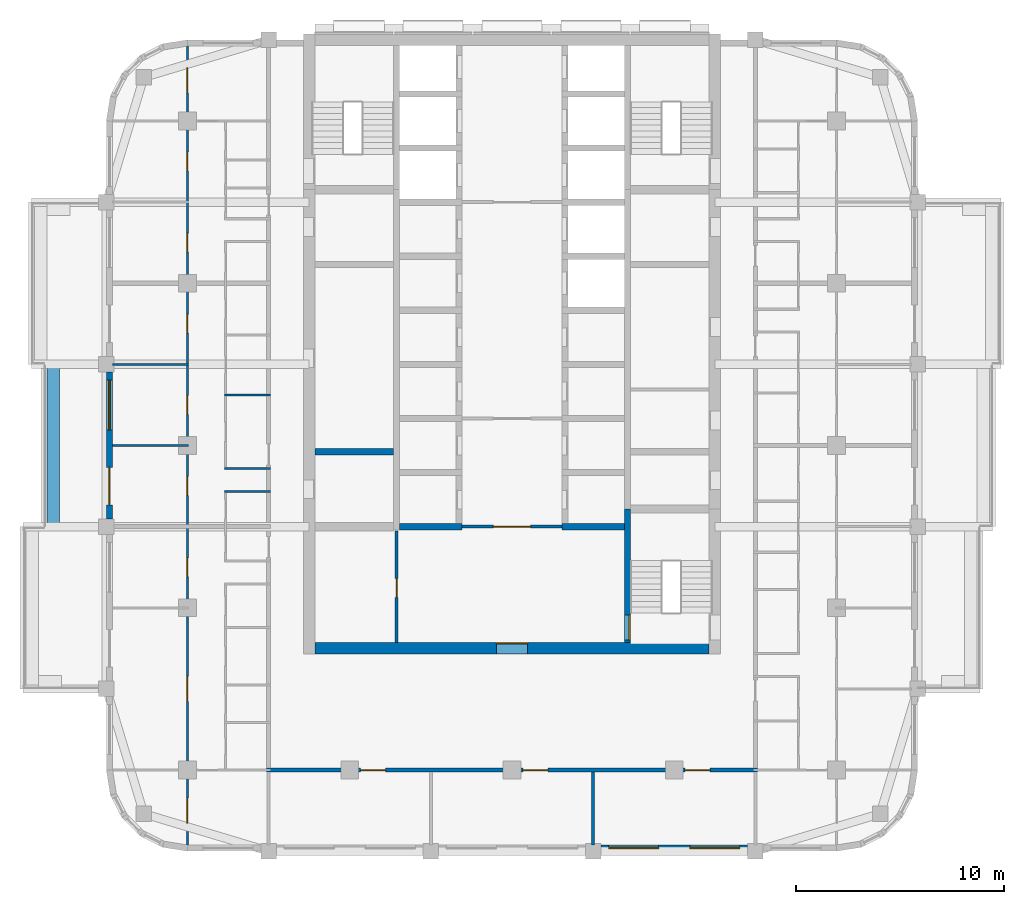
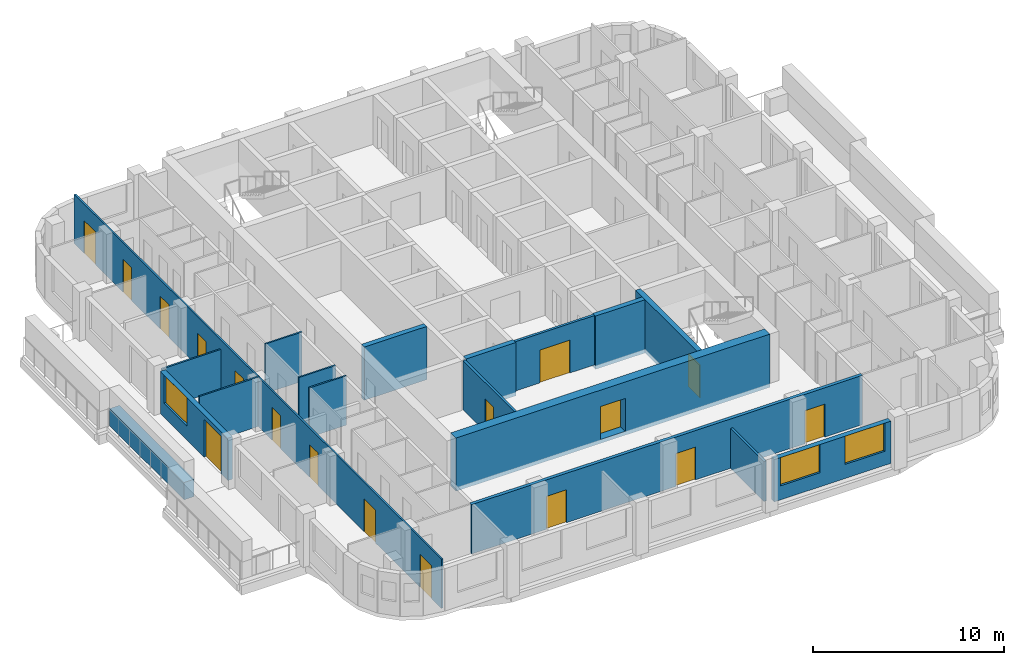
# One storey, part 3 of 13: 18 walls, 17 doors, 3 windows, 20 openings.
"""IFC4 building model written with IfcOpenShell, lengths in metres."""

import ifcopenshell
import ifcopenshell.guid

model = None  # the IFC model being written
_history = None  # IfcOwnerHistory: only IFC2X3 demands one
_inside = {}  # id of a spatial element -> (the spatial element, [elements in it])
_under = {}  # id of a project, library or spatial element -> (it, [spatial elements below it])
_declared = {}  # id of a project -> (the project, [libraries it declares])
_typed = {}  # id of a type object -> (the type object, [elements of that type])
_made_of = {}  # id of a material, layer set ... -> (it, [elements and type objects made of it])


def new_model(schema):
    """Start an empty IFC model of exactly this schema.

    Asked for "IFC4X3", IfcOpenShell would pick the latest addendum, in which some entities
    have other attributes; the version numbers below select the first issue.
    IFC2X3 requires an IfcOwnerHistory on every rooted entity: one is made here for all.
    """
    global model, _history
    if schema == "IFC4X3":
        model = ifcopenshell.file(schema_version=(4, 3, 0, 0))
    else:
        model = ifcopenshell.file(schema=schema)
    _inside.clear()
    _under.clear()
    _declared.clear()
    _typed.clear()
    _made_of.clear()
    _history = None
    if model.schema == "IFC2X3":
        org = make("IfcOrganization", Name="unknown")
        user = make(
            "IfcPersonAndOrganization",
            ThePerson=make("IfcPerson", FamilyName="unknown"),
            TheOrganization=org,
        )
        app = make(
            "IfcApplication",
            ApplicationDeveloper=org,
            Version="unknown",
            ApplicationFullName="unknown",
            ApplicationIdentifier="unknown",
        )
        _history = make(
            "IfcOwnerHistory",
            OwningUser=user,
            OwningApplication=app,
            ChangeAction="ADDED",
            CreationDate=0,
        )
    return model


def make(cls, **values):
    """One entity of the class cls with the attributes given. An attribute that is None is left unset."""
    return model.create_entity(
        cls, **{name: value for name, value in values.items() if value is not None}
    )


def rooted(cls, **values):
    """An entity with a GlobalId (a new one), such as an element, a storey or a relation."""
    return make(cls, GlobalId=ifcopenshell.guid.new(), OwnerHistory=_history, **values)


def si_unit(unit_type, name, prefix=None):
    """IfcSIUnit, for example si_unit("LENGTHUNIT", "METRE", prefix="MILLI")."""
    return make("IfcSIUnit", UnitType=unit_type, Prefix=prefix, Name=name)


def assignment(units):
    """IfcUnitAssignment: the units of a project."""
    return None if units is None else make("IfcUnitAssignment", Units=units)


def point(xyz):
    """IfcCartesianPoint."""
    return None if xyz is None else make("IfcCartesianPoint", Coordinates=xyz)


def direction(xyz):
    """IfcDirection."""
    return None if xyz is None else make("IfcDirection", DirectionRatios=xyz)


def frame(location, z_axis=None, x_axis=None):
    """IfcAxis2Placement3D, a coordinate frame: its origin and axes. An axis left out is left unset."""
    return make(
        "IfcAxis2Placement3D",
        Location=point(location),
        Axis=direction(z_axis),
        RefDirection=direction(x_axis),
    )


def frame_2d(location, x_axis=None):
    """IfcAxis2Placement2D, a coordinate frame in the plane: its origin and x axis."""
    return make(
        "IfcAxis2Placement2D", Location=point(location), RefDirection=direction(x_axis)
    )


def origin():
    """The frame at (0, 0, 0) with its axes left unset."""
    return frame((0.0, 0.0, 0.0))


def place(relative_to, where):
    """IfcLocalPlacement: puts the frame where relative to a parent placement (None: the world)."""
    return make(
        "IfcLocalPlacement", PlacementRelTo=relative_to, RelativePlacement=where
    )


def context(
    kind, dimensions, precision=None, world=None, true_north=None, identifier=None
):
    """IfcGeometricRepresentationContext, for example the 3D "Model" context."""
    return make(
        "IfcGeometricRepresentationContext",
        ContextIdentifier=identifier,
        ContextType=kind,
        CoordinateSpaceDimension=dimensions,
        Precision=precision,
        WorldCoordinateSystem=world,
        TrueNorth=true_north,
    )


def subcontext(parent, identifier, kind, view, scale=None):
    """IfcGeometricRepresentationSubContext, for example "Body" below "Model"."""
    return make(
        "IfcGeometricRepresentationSubContext",
        ContextIdentifier=identifier,
        ContextType=kind,
        ParentContext=parent,
        TargetScale=scale,
        TargetView=view,
    )


def project(units=None, contexts=None):
    """IfcProject with its units and contexts."""
    return rooted(
        "IfcProject",
        Name="project",
        RepresentationContexts=contexts,
        UnitsInContext=assignment(units),
    )


def spatial(cls, under=None, at=None, **own):
    """A site, building, storey or space (cls), placed at a placement, below another one or the project."""
    s = rooted(cls, ObjectPlacement=at, **own)
    if under is not None:
        _under.setdefault(under.id(), (under, []))[1].append(s)
    return s


def profile(cls, at=None, kind="AREA", **sizes):
    """A parametric profile (cls). Its sizes go by their IFC names, for example OverallWidth=200.0."""
    return make(cls, ProfileType=kind, Position=at, **sizes)


def rectangle(**sizes):
    """IfcRectangleProfileDef."""
    return profile("IfcRectangleProfileDef", **sizes)


def extrude(swept, where, along, depth):
    """IfcExtrudedAreaSolid: the profile swept, set in the frame where, extruded along a direction by depth."""
    return make(
        "IfcExtrudedAreaSolid",
        SweptArea=swept,
        Position=where,
        ExtrudedDirection=direction(along),
        Depth=depth,
    )


def shape(context_of_items, identifier, shape_type, items):
    """IfcShapeRepresentation: the items that make up one representation, for example the "Body"."""
    return make(
        "IfcShapeRepresentation",
        ContextOfItems=context_of_items,
        RepresentationIdentifier=identifier,
        RepresentationType=shape_type,
        Items=items,
    )


def material(Name=None, Category=None):
    """IfcMaterial."""
    return make("IfcMaterial", Name=Name, Category=Category)


def layer(
    of_material, thickness, ventilated=None, Name=None, Category=None, Priority=None
):
    """IfcMaterialLayer: one layer of a wall or slab, of a material (None: an air gap)."""
    return make(
        "IfcMaterialLayer",
        Material=of_material,
        LayerThickness=thickness,
        IsVentilated=ventilated,
        Name=Name,
        Category=Category,
        Priority=Priority,
    )


def layer_set(layers, Name=None):
    """IfcMaterialLayerSet."""
    return make("IfcMaterialLayerSet", MaterialLayers=layers, LayerSetName=Name)


def made_of(thing, what):
    """Note that an element or type object is made of a material, layer set ...; save() writes the relation."""
    if what is not None:
        _made_of.setdefault(what.id(), (what, []))[1].append(thing)
    return thing


def type_object(cls, material=None, **own):
    """A type object (cls), such as IfcWallType, which elements share."""
    return made_of(rooted(cls, **own), material)


def element(
    cls,
    number,
    at=None,
    inside=None,
    cuts=None,
    type_object=None,
    material=None,
    context=None,
    identifier="Body",
    shape_type=None,
    held_by="IfcProductDefinitionShape",
    body=None,
    shapes=None,
    **own,
):
    """One element of the class cls, such as IfcWall. Its Tag is "e" and its number.

    at: its placement. inside: the storey or other place that contains it. cuts: it is an
    opening in that element (IfcRelVoidsElement). A single representation is given by context,
    identifier, shape_type and body (its items); several are given by shapes. held_by: the class
    of the entity that holds the representations. save() writes the other relations.
    """
    e = rooted(cls, Tag="e%d" % number, ObjectPlacement=at, **own)
    if body is not None:
        shapes = [shape(context, identifier, shape_type, body)]
    if shapes is not None:
        e.Representation = make(held_by, Representations=shapes)
    if inside is not None:
        _inside.setdefault(inside.id(), (inside, []))[1].append(e)
    if cuts is not None:
        rooted(
            "IfcRelVoidsElement", RelatingBuildingElement=cuts, RelatedOpeningElement=e
        )
    if type_object is not None:
        _typed.setdefault(type_object.id(), (type_object, []))[1].append(e)
    return made_of(e, material)


def fill(opening, filler):
    """IfcRelFillsElement: the door or window that sits in an opening."""
    return rooted(
        "IfcRelFillsElement",
        RelatingOpeningElement=opening,
        RelatedBuildingElement=filler,
    )


def aggregate(whole, parts):
    """IfcRelAggregates: a whole, such as a stair, and the parts it consists of."""
    return rooted("IfcRelAggregates", RelatingObject=whole, RelatedObjects=parts)


def save(model, path):
    """Write the relations noted so far, then the file.

    IfcRelAggregates (storeys below a building ...), IfcRelContainedInSpatialStructure (elements
    in a storey), IfcRelDefinesByType, IfcRelAssociatesMaterial and IfcRelDeclares: one each for
    every whole, place, type object, material and project.
    """
    for whole, parts in _under.values():
        aggregate(whole, parts)
    for where, things in _inside.values():
        rooted(
            "IfcRelContainedInSpatialStructure",
            RelatedElements=things,
            RelatingStructure=where,
        )
    for kind, things in _typed.values():
        rooted("IfcRelDefinesByType", RelatedObjects=things, RelatingType=kind)
    for what, things in _made_of.values():
        rooted("IfcRelAssociatesMaterial", RelatedObjects=things, RelatingMaterial=what)
    for by, libraries in _declared.values():
        rooted("IfcRelDeclares", RelatingContext=by, RelatedDefinitions=libraries)
    model.write(path)


model = new_model("IFC4")

# Units and contexts
model_context = context("Model", 3, precision=1e-05, world=origin(), true_north=direction((0.0, 1.0)))
body_context = subcontext(model_context, "Body", "Model", "MODEL_VIEW")
ifc_project = project(units=[si_unit("LENGTHUNIT", "METRE"), si_unit("AREAUNIT", "SQUARE_METRE"), si_unit("VOLUMEUNIT", "CUBIC_METRE"), si_unit("PLANEANGLEUNIT", "RADIAN"), si_unit("MASSUNIT", "GRAM", prefix="KILO")], contexts=[model_context])

# Site, building, storey
site_placement = place(None, origin())
site = spatial("IfcSite", under=ifc_project, at=site_placement, CompositionType="ELEMENT")
building_placement = place(site_placement, origin())
building = spatial("IfcBuilding", under=site, at=building_placement, Name="Ludao Terraces", CompositionType="ELEMENT")
storey_placement = place(building_placement, frame((0.0, 0.0, 155.39990234375)))
storey = spatial("IfcBuildingStorey", under=building, at=storey_placement, Name="L42", CompositionType="ELEMENT", Elevation=155.39990234375)

# Wall, opening, door
ifc_material_1 = material(Name="Concrete C60", Category="concrete")
ifc_layer_1 = layer(ifc_material_1, 0.550048828125)
ifc_layer_set_1 = layer_set([ifc_layer_1], Name="Core wall 550 C60")
wall_type_1 = type_object("IfcWallType", Name="Core wall 550 C60", PredefinedType="SOLIDWALL", material=ifc_layer_set_1)
wall_1_placement = place(storey_placement, frame((75.52490234375, 55.25, -0.25), z_axis=(0.0, 0.0, 1.0), x_axis=(1.0, 0.0, 0.0)))
wall_1 = element("IfcWall", 1, at=wall_1_placement, inside=storey, type_object=wall_type_1, Name="Core wall L42 outer-S", PredefinedType="SOLIDWALL", context=body_context, shape_type="SweptSolid", body=[
    extrude(rectangle(XDim=18.9501953125, YDim=0.550048828125, at=frame_2d((9.47509765625, 0.0))), origin(), (0.0, 0.0, 1.0), 3.400146484375),
])
opening_1_placement = place(wall_1_placement, frame((8.72509765625, 0.0, 0.25)))
opening_1 = element("IfcOpeningElement", 2, at=opening_1_placement, cuts=wall_1, Name="Opening R14-016", PredefinedType="OPENING", context=body_context, shape_type="SweptSolid", body=[
    extrude(rectangle(XDim=1.5, YDim=2.10009765625, at=frame_2d((0.75, 1.050048828125))), frame((0.0, 0.28515625, 0.0), z_axis=(0.0, -1.0, 0.0), x_axis=(1.0, 0.0, 0.0)), (0.0, 0.0, 1.0), 0.570068359375),
])
ifc_material_2 = material(Name="Steel Q235", Category="steel")
door_type_1 = type_object("IfcDoorType", Name="INT Lobby door 1500", OperationType="DOUBLE_DOOR_SINGLE_SWING", PredefinedType="DOOR", material=ifc_material_2)
door_1_placement = place(opening_1_placement, origin())
door_1 = element("IfcDoor", 3, at=door_1_placement, inside=storey, type_object=door_type_1, Name="DOOR 016", OperationType="DOUBLE_DOOR_SINGLE_SWING", OverallHeight=2.10009765625, OverallWidth=1.5, PredefinedType="DOOR", context=body_context, shape_type="SweptSolid", body=[
    extrude(rectangle(XDim=1.5, YDim=2.10009765625, at=frame_2d((0.75, 1.050048828125))), frame((0.0, 0.26025390625, 0.0), z_axis=(0.0, -1.0, 0.0), x_axis=(1.0, 0.0, 0.0)), (0.0, 0.0, 1.0), 0.050048828125),
])
fill(opening_1, door_1)

# Wall
ifc_material_3 = material(Name="Concrete C40", Category="concrete")
ifc_layer_2 = layer(ifc_material_3, 0.60009765625)
ifc_layer_set_2 = layer_set([ifc_layer_2], Name="ENV Planter trough 600")
wall_type_2 = type_object("IfcWallType", Name="ENV Planter trough 600", PredefinedType="USERDEFINED", material=ifc_layer_set_2)
wall_2_placement = place(storey_placement, frame((62.949951171875, 61.10009765625, 0.0), z_axis=(0.0, 0.0, 1.0), x_axis=(0.0, 1.0, 0.0)))
element("IfcWall", 4, at=wall_2_placement, inside=storey, type_object=wall_type_2, Name="PL-L42-W2", ObjectType="PLANTER", PredefinedType="USERDEFINED", context=body_context, shape_type="SweptSolid", body=[
    extrude(rectangle(XDim=7.7998046875, YDim=0.60009765625, at=frame_2d((3.89990234375, 0.0))), origin(), (0.0, 0.0, 1.0), 1.10009765625),
])

# Wall, openings, windows
ifc_material_4 = material(Name="Granite cladding", Category="masonry")
ifc_layer_3 = layer(ifc_material_4, 0.0400390625, Category="stone")
ifc_material_5 = material(Name="Mineral wool")
ifc_layer_4 = layer(ifc_material_5, 0.06005859375)
ifc_layer_5 = layer(ifc_material_3, 0.199951171875, Category="concrete")
ifc_layer_set_3 = layer_set([ifc_layer_3, ifc_layer_4, ifc_layer_5], Name="ENV Stone-clad wall 300")
wall_type_3 = type_object("IfcWallType", Name="ENV Stone-clad wall 300", PredefinedType="SOLIDWALL", material=ifc_layer_set_3)
wall_3_placement = place(storey_placement, frame((89.27490234375, 45.64990234375, 0.0), z_axis=(0.0, 0.0, 1.0), x_axis=(1.0, 0.0, 0.0)))
wall_3 = element("IfcWall", 5, at=wall_3_placement, inside=storey, type_object=wall_type_3, Name="EW-L42-S4", PredefinedType="SOLIDWALL", context=body_context, shape_type="SweptSolid", body=[
    extrude(rectangle(XDim=7.050048828125, YDim=0.300048828125, at=frame_2d((3.52490234375, 0.0))), origin(), (0.0, 0.0, 1.0), 2.7001953125),
])
opening_2_placement = place(wall_3_placement, frame((0.375, 0.0, 0.89990234375)))
opening_2 = element("IfcOpeningElement", 6, at=opening_2_placement, cuts=wall_3, Name="Opening W1", PredefinedType="OPENING", context=body_context, shape_type="SweptSolid", body=[
    extrude(rectangle(XDim=2.39990234375, YDim=1.800048828125, at=frame_2d((1.199951171875, 0.89990234375))), frame((0.0, 0.16015625, 0.0), z_axis=(0.0, -1.0, 0.0), x_axis=(1.0, 0.0, 0.0)), (0.0, 0.0, 1.0), 0.320068359375),
])
opening_3_placement = place(wall_3_placement, frame((4.27490234375, 0.0, 0.89990234375)))
opening_3 = element("IfcOpeningElement", 7, at=opening_3_placement, cuts=wall_3, Name="Opening W1", PredefinedType="OPENING", context=body_context, shape_type="SweptSolid", body=[
    extrude(rectangle(XDim=2.39990234375, YDim=1.800048828125, at=frame_2d((1.199951171875, 0.89990234375))), frame((0.0, 0.16015625, 0.0), z_axis=(0.0, -1.0, 0.0), x_axis=(1.0, 0.0, 0.0)), (0.0, 0.0, 1.0), 0.320068359375),
])
ifc_material_6 = material(Name="Clear glass in aluminium frame", Category="aluminium")
ifc_layer_6 = layer(ifc_material_6, 0.06005859375)
ifc_layer_set_4 = layer_set([ifc_layer_6], Name="ENV Window W1 2400x1800")
window_type = type_object("IfcWindowType", Name="ENV Window W1 2400x1800", PartitioningType="DOUBLE_PANEL_VERTICAL", PredefinedType="WINDOW", material=ifc_layer_set_4)
window_1_placement = place(opening_2_placement, origin())
window_1 = element("IfcWindow", 8, at=window_1_placement, inside=storey, type_object=window_type, Name="W-L42-S4-1", OverallHeight=1.800048828125, OverallWidth=2.39990234375, PartitioningType="DOUBLE_PANEL_VERTICAL", PredefinedType="WINDOW", context=body_context, shape_type="SweptSolid", body=[
    extrude(rectangle(XDim=2.39990234375, YDim=1.800048828125, at=frame_2d((1.199951171875, 0.89990234375))), frame((0.0, 0.030029296875, 0.0), z_axis=(0.0, -1.0, 0.0), x_axis=(1.0, 0.0, 0.0)), (0.0, 0.0, 1.0), 0.06005859375),
])
fill(opening_2, window_1)
window_2_placement = place(opening_3_placement, origin())
window_2 = element("IfcWindow", 9, at=window_2_placement, inside=storey, type_object=window_type, Name="W-L42-S4-2", OverallHeight=1.800048828125, OverallWidth=2.39990234375, PartitioningType="DOUBLE_PANEL_VERTICAL", PredefinedType="WINDOW", context=body_context, shape_type="SweptSolid", body=[
    extrude(rectangle(XDim=2.39990234375, YDim=1.800048828125, at=frame_2d((1.199951171875, 0.89990234375))), frame((0.0, 0.030029296875, 0.0), z_axis=(0.0, -1.0, 0.0), x_axis=(1.0, 0.0, 0.0)), (0.0, 0.0, 1.0), 0.06005859375),
])
fill(opening_3, window_2)

# Wall, openings, door, window
wall_4_placement = place(storey_placement, frame((65.64990234375, 61.47509765625, 0.0), z_axis=(0.0, 0.0, 1.0), x_axis=(0.0, 1.0, 0.0)))
wall_4 = element("IfcWall", 10, at=wall_4_placement, inside=storey, type_object=wall_type_3, Name="EW-L42-W3", PredefinedType="SOLIDWALL", context=body_context, shape_type="SweptSolid", body=[
    extrude(rectangle(XDim=7.0498046875, YDim=0.300048828125, at=frame_2d((3.52490234375, 0.0))), origin(), (0.0, 0.0, 1.0), 2.7001953125),
])
opening_4_placement = place(wall_4_placement, frame((0.675048828125, 0.0, 0.0)))
opening_4 = element("IfcOpeningElement", 11, at=opening_4_placement, cuts=wall_4, Name="Opening BD", PredefinedType="OPENING", context=body_context, shape_type="SweptSolid", body=[
    extrude(rectangle(XDim=1.800048828125, YDim=2.39990234375, at=frame_2d((0.89990234375, 1.199951171875))), frame((0.0, 0.16015625, 0.0), z_axis=(0.0, -1.0, 0.0), x_axis=(1.0, 0.0, 0.0)), (0.0, 0.0, 1.0), 0.320068359375),
])
opening_5_placement = place(wall_4_placement, frame((4.27490234375, 0.0, 0.89990234375)))
opening_5 = element("IfcOpeningElement", 12, at=opening_5_placement, cuts=wall_4, Name="Opening W1", PredefinedType="OPENING", context=body_context, shape_type="SweptSolid", body=[
    extrude(rectangle(XDim=2.39990234375, YDim=1.800048828125, at=frame_2d((1.199951171875, 0.89990234375))), frame((0.0, 0.16015625, 0.0), z_axis=(0.0, -1.0, 0.0), x_axis=(1.0, 0.0, 0.0)), (0.0, 0.0, 1.0), 0.320068359375),
])
ifc_material_7 = material(Name="Aluminium glazed door", Category="aluminium")
ifc_layer_7 = layer(ifc_material_7, 0.06005859375)
ifc_layer_set_5 = layer_set([ifc_layer_7], Name="ENV Balcony door BD 1800x2400")
door_type_2 = type_object("IfcDoorType", Name="ENV Balcony door BD 1800x2400", OperationType="DOUBLE_DOOR_SINGLE_SWING", PredefinedType="DOOR", material=ifc_layer_set_5)
door_2_placement = place(opening_4_placement, origin())
door_2 = element("IfcDoor", 13, at=door_2_placement, inside=storey, type_object=door_type_2, Name="BD-L42-W3-1", OperationType="DOUBLE_DOOR_SINGLE_SWING", OverallHeight=2.39990234375, OverallWidth=1.800048828125, PredefinedType="DOOR", context=body_context, shape_type="SweptSolid", body=[
    extrude(rectangle(XDim=1.800048828125, YDim=2.39990234375, at=frame_2d((0.89990234375, 1.199951171875))), frame((0.0, 0.02490234375, 0.0), z_axis=(0.0, -1.0, 0.0), x_axis=(1.0, 0.0, 0.0)), (0.0, 0.0, 1.0), 0.050048828125),
])
fill(opening_4, door_2)
window_3_placement = place(opening_5_placement, origin())
window_3 = element("IfcWindow", 14, at=window_3_placement, inside=storey, type_object=window_type, Name="W-L42-W3-2", OverallHeight=1.800048828125, OverallWidth=2.39990234375, PartitioningType="DOUBLE_PANEL_VERTICAL", PredefinedType="WINDOW", context=body_context, shape_type="SweptSolid", body=[
    extrude(rectangle(XDim=2.39990234375, YDim=1.800048828125, at=frame_2d((1.199951171875, 0.89990234375))), frame((0.0, 0.030029296875, 0.0), z_axis=(0.0, -1.0, 0.0), x_axis=(1.0, 0.0, 0.0)), (0.0, 0.0, 1.0), 0.06005859375),
])
fill(opening_5, window_3)

# Wall, opening, door
ifc_material_8 = material(Name="Fire-rated gypsum plasterboard", Category="gypsum")
ifc_layer_8 = layer(ifc_material_8, 0.012451171875, Category="gypsum")
ifc_layer_9 = layer(ifc_material_5, 0.10009765625, Name="insulation")
ifc_layer_10 = layer(ifc_material_2, 0.02490234375, Name="stud")
ifc_layer_11 = layer(ifc_material_8, 0.012451171875, Category="gypsum")
ifc_layer_set_6 = layer_set([ifc_layer_8, ifc_layer_9, ifc_layer_10, ifc_layer_11], Name="INT Core partition 150")
wall_type_4 = type_object("IfcWallType", Name="INT Core partition 150", PredefinedType="PARTITIONING", material=ifc_layer_set_6)
wall_5_placement = place(storey_placement, frame((82.60009765625, 61.10009765625, 0.0), z_axis=(0.0, 0.0, 1.0), x_axis=(1.0, 0.0, 0.0)))
wall_5 = element("IfcWall", 15, at=wall_5_placement, inside=storey, type_object=wall_type_4, Name="PW-L42-PW017", PredefinedType="PARTITIONING", context=body_context, shape_type="SweptSolid", body=[
    extrude(rectangle(XDim=4.800048828125, YDim=0.14990234375, at=frame_2d((2.39990234375, 0.0))), origin(), (0.0, 0.0, 1.0), 3.150146484375),
])
opening_6_placement = place(wall_5_placement, frame((1.5, 0.0, 0.0)))
opening_6 = element("IfcOpeningElement", 16, at=opening_6_placement, cuts=wall_5, Name="Opening R14-029", PredefinedType="OPENING", context=body_context, shape_type="SweptSolid", body=[
    extrude(rectangle(XDim=1.800048828125, YDim=2.10009765625, at=frame_2d((0.89990234375, 1.050048828125))), frame((0.0, 0.0849609375, 0.0), z_axis=(0.0, -1.0, 0.0), x_axis=(1.0, 0.0, 0.0)), (0.0, 0.0, 1.0), 0.169921875),
])
door_type_3 = type_object("IfcDoorType", Name="INT Fire lobby door 1800", OperationType="DOUBLE_DOOR_SINGLE_SWING", PredefinedType="DOOR", material=ifc_material_2)
door_3_placement = place(opening_6_placement, origin())
door_3 = element("IfcDoor", 17, at=door_3_placement, inside=storey, type_object=door_type_3, Name="DOOR 029", OperationType="DOUBLE_DOOR_SINGLE_SWING", OverallHeight=2.10009765625, OverallWidth=1.800048828125, PredefinedType="DOOR", context=body_context, shape_type="SweptSolid", body=[
    extrude(rectangle(XDim=1.800048828125, YDim=2.10009765625, at=frame_2d((0.89990234375, 1.050048828125))), frame((0.0, 0.02490234375, 0.0), z_axis=(0.0, -1.0, 0.0), x_axis=(1.0, 0.0, 0.0)), (0.0, 0.0, 1.0), 0.050048828125),
])
fill(opening_6, door_3)

wall_6_placement = place(storey_placement, frame((79.449951171875, 55.525146484375, 0.0), z_axis=(0.0, 0.0, 1.0), x_axis=(0.0, 1.0, 0.0)))
wall_6 = element("IfcWall", 18, at=wall_6_placement, inside=storey, type_object=wall_type_4, Name="PW-L42-PW055", PredefinedType="PARTITIONING", context=body_context, shape_type="SweptSolid", body=[
    extrude(rectangle(XDim=5.375, YDim=0.14990234375, at=frame_2d((2.6875, 0.0))), origin(), (0.0, 0.0, 1.0), 3.150146484375),
])
opening_7_placement = place(wall_6_placement, frame((2.175048828125, 0.0, 0.0)))
opening_7 = element("IfcOpeningElement", 19, at=opening_7_placement, cuts=wall_6, Name="Opening R14-022", PredefinedType="OPENING", context=body_context, shape_type="SweptSolid", body=[
    extrude(rectangle(XDim=0.89990234375, YDim=2.10009765625, at=frame_2d((0.449951171875, 1.050048828125))), frame((0.0, 0.0849609375, 0.0), z_axis=(0.0, -1.0, 0.0), x_axis=(1.0, 0.0, 0.0)), (0.0, 0.0, 1.0), 0.169921875),
])
ifc_material_9 = material(Name="Timber door leaf", Category="wood")
door_type_4 = type_object("IfcDoorType", Name="INT Room door 900", OperationType="SINGLE_SWING_LEFT", PredefinedType="DOOR", material=ifc_material_9)
door_4_placement = place(opening_7_placement, origin())
door_4 = element("IfcDoor", 20, at=door_4_placement, inside=storey, type_object=door_type_4, Name="DOOR 022", OperationType="SINGLE_SWING_LEFT", OverallHeight=2.10009765625, OverallWidth=0.89990234375, PredefinedType="DOOR", context=body_context, shape_type="SweptSolid", body=[
    extrude(rectangle(XDim=0.89990234375, YDim=2.10009765625, at=frame_2d((0.449951171875, 1.050048828125))), frame((0.0, 0.02490234375, 0.0), z_axis=(0.0, -1.0, 0.0), x_axis=(1.0, 0.0, 0.0)), (0.0, 0.0, 1.0), 0.050048828125),
])
fill(opening_7, door_4)

# Wall, openings, doors
ifc_material_10 = material(Name="Autoclaved aerated concrete block B06 A3.5", Category="concrete")
ifc_layer_12 = layer(ifc_material_10, 0.199951171875)
ifc_layer_set_7 = layer_set([ifc_layer_12], Name="INT Entrance wall 200")
wall_type_5 = type_object("IfcWallType", Name="INT Entrance wall 200", PredefinedType="PARTITIONING", material=ifc_layer_set_7)
wall_7_placement = place(storey_placement, frame((73.2001953125, 49.39990234375, 0.0), z_axis=(0.0, 0.0, 1.0), x_axis=(1.0, 0.0, 0.0)))
wall_7 = element("IfcWall", 21, at=wall_7_placement, inside=storey, type_object=wall_type_5, Name="PW-L42-PW001", PredefinedType="PARTITIONING", context=body_context, shape_type="SweptSolid", body=[
    extrude(rectangle(XDim=23.599853515625, YDim=0.199951171875, at=frame_2d((11.7998046875, 0.0))), origin(), (0.0, 0.0, 1.0), 3.150146484375),
])
opening_8_placement = place(wall_7_placement, frame((4.52490234375, 0.0, 0.0)))
opening_8 = element("IfcOpeningElement", 22, at=opening_8_placement, cuts=wall_7, Name="Opening R14-004", PredefinedType="OPENING", context=body_context, shape_type="SweptSolid", body=[
    extrude(rectangle(XDim=1.199951171875, YDim=2.10009765625, at=frame_2d((0.60009765625, 1.050048828125))), frame((0.0, 0.10986328125, 0.0), z_axis=(0.0, -1.0, 0.0), x_axis=(1.0, 0.0, 0.0)), (0.0, 0.0, 1.0), 0.219970703125),
])
opening_9_placement = place(wall_7_placement, frame((12.324951171875, 0.0, 0.0)))
opening_9 = element("IfcOpeningElement", 23, at=opening_9_placement, cuts=wall_7, Name="Opening R14-005", PredefinedType="OPENING", context=body_context, shape_type="SweptSolid", body=[
    extrude(rectangle(XDim=1.199951171875, YDim=2.10009765625, at=frame_2d((0.60009765625, 1.050048828125))), frame((0.0, 0.10986328125, 0.0), z_axis=(0.0, -1.0, 0.0), x_axis=(1.0, 0.0, 0.0)), (0.0, 0.0, 1.0), 0.219970703125),
])
opening_10_placement = place(wall_7_placement, frame((20.125, 0.0, 0.0)))
opening_10 = element("IfcOpeningElement", 24, at=opening_10_placement, cuts=wall_7, Name="Opening R14-006", PredefinedType="OPENING", context=body_context, shape_type="SweptSolid", body=[
    extrude(rectangle(XDim=1.199951171875, YDim=2.10009765625, at=frame_2d((0.60009765625, 1.050048828125))), frame((0.0, 0.10986328125, 0.0), z_axis=(0.0, -1.0, 0.0), x_axis=(1.0, 0.0, 0.0)), (0.0, 0.0, 1.0), 0.219970703125),
])
door_type_5 = type_object("IfcDoorType", Name="INT Double door 1200", OperationType="DOUBLE_DOOR_SINGLE_SWING", PredefinedType="DOOR", material=ifc_material_9)
door_5_placement = place(opening_8_placement, origin())
door_5 = element("IfcDoor", 25, at=door_5_placement, inside=storey, type_object=door_type_5, Name="DOOR 004", OperationType="DOUBLE_DOOR_SINGLE_SWING", OverallHeight=2.10009765625, OverallWidth=1.199951171875, PredefinedType="DOOR", context=body_context, shape_type="SweptSolid", body=[
    extrude(rectangle(XDim=1.199951171875, YDim=2.10009765625, at=frame_2d((0.60009765625, 1.050048828125))), frame((0.0, 0.02490234375, 0.0), z_axis=(0.0, -1.0, 0.0), x_axis=(1.0, 0.0, 0.0)), (0.0, 0.0, 1.0), 0.050048828125),
])
fill(opening_8, door_5)
door_6_placement = place(opening_9_placement, origin())
door_6 = element("IfcDoor", 26, at=door_6_placement, inside=storey, type_object=door_type_5, Name="DOOR 005", OperationType="DOUBLE_DOOR_SINGLE_SWING", OverallHeight=2.10009765625, OverallWidth=1.199951171875, PredefinedType="DOOR", context=body_context, shape_type="SweptSolid", body=[
    extrude(rectangle(XDim=1.199951171875, YDim=2.10009765625, at=frame_2d((0.60009765625, 1.050048828125))), frame((0.0, 0.02490234375, 0.0), z_axis=(0.0, -1.0, 0.0), x_axis=(1.0, 0.0, 0.0)), (0.0, 0.0, 1.0), 0.050048828125),
])
fill(opening_9, door_6)
door_7_placement = place(opening_10_placement, origin())
door_7 = element("IfcDoor", 27, at=door_7_placement, inside=storey, type_object=door_type_5, Name="DOOR 006", OperationType="DOUBLE_DOOR_SINGLE_SWING", OverallHeight=2.10009765625, OverallWidth=1.199951171875, PredefinedType="DOOR", context=body_context, shape_type="SweptSolid", body=[
    extrude(rectangle(XDim=1.199951171875, YDim=2.10009765625, at=frame_2d((0.60009765625, 1.050048828125))), frame((0.0, 0.02490234375, 0.0), z_axis=(0.0, -1.0, 0.0), x_axis=(1.0, 0.0, 0.0)), (0.0, 0.0, 1.0), 0.050048828125),
])
fill(opening_10, door_7)

# Walls
ifc_material_11 = material(Name="Gypsum plasterboard", Category="gypsum")
ifc_layer_13 = layer(ifc_material_11, 0.012451171875, Category="gypsum")
ifc_layer_14 = layer(ifc_material_5, 0.06005859375, Name="insulation")
ifc_layer_15 = layer(ifc_material_2, 0.014892578125, Name="stud")
ifc_layer_16 = layer(ifc_material_11, 0.012451171875, Category="gypsum")
ifc_layer_set_8 = layer_set([ifc_layer_13, ifc_layer_14, ifc_layer_15, ifc_layer_16], Name="INT Partition 100")
wall_type_6 = type_object("IfcWallType", Name="INT Partition 100", PredefinedType="PARTITIONING", material=ifc_layer_set_8)
for number, where, z_axis, x_axis, name in (
    (28, (71.18017578125, 62.800048828125, 0.0), (0.0, 0.0, 1.0), (1.0, 0.0, 0.0), "PW-L42-PW020"),
    (29, (71.18017578125, 63.89990234375, 0.0), (0.0, 0.0, 1.0), (1.0, 0.0, 0.0), "PW-L42-PW021"),
):
    element("IfcWall", number, at=place(storey_placement, frame(where, z_axis=z_axis, x_axis=x_axis)), inside=storey, type_object=wall_type_6, Name=name, PredefinedType="PARTITIONING", context=body_context, shape_type="SweptSolid", body=[
        extrude(rectangle(XDim=2.219970703125, YDim=0.10009765625, at=frame_2d((1.10986328125, 0.0))), origin(), (0.0, 0.0, 1.0), 3.150146484375),
    ])
wall_8_placement = place(storey_placement, frame((65.800048828125, 65.0, 0.0), z_axis=(0.0, 0.0, 1.0), x_axis=(1.0, 0.0, 0.0)))
element("IfcWall", 30, at=wall_8_placement, inside=storey, type_object=wall_type_6, Name="PW-L42-PW022", PredefinedType="PARTITIONING", context=body_context, shape_type="SweptSolid", body=[
    extrude(rectangle(XDim=3.650146484375, YDim=0.10009765625, at=frame_2d((1.8251953125, 0.0))), origin(), (0.0, 0.0, 1.0), 3.150146484375),
])
wall_9_placement = place(storey_placement, frame((71.18017578125, 67.419921875, 0.0), z_axis=(0.0, 0.0, 1.0), x_axis=(1.0, 0.0, 0.0)))
element("IfcWall", 31, at=wall_9_placement, inside=storey, type_object=wall_type_6, Name="PW-L42-PW025", PredefinedType="PARTITIONING", context=body_context, shape_type="SweptSolid", body=[
    extrude(rectangle(XDim=2.219970703125, YDim=0.10009765625, at=frame_2d((1.10986328125, 0.0))), origin(), (0.0, 0.0, 1.0), 3.150146484375),
])
wall_10_placement = place(storey_placement, frame((65.800048828125, 68.89990234375, 0.0), z_axis=(0.0, 0.0, 1.0), x_axis=(1.0, 0.0, 0.0)))
element("IfcWall", 32, at=wall_10_placement, inside=storey, type_object=wall_type_6, Name="PW-L42-PW028", PredefinedType="PARTITIONING", context=body_context, shape_type="SweptSolid", body=[
    extrude(rectangle(XDim=3.650146484375, YDim=0.10009765625, at=frame_2d((1.8251953125, 0.0))), origin(), (0.0, 0.0, 1.0), 2.550048828125),
])

# Wall, openings, doors
wall_11_placement = place(storey_placement, frame((69.39990234375, 45.800048828125, 0.0), z_axis=(0.0, 0.0, 1.0), x_axis=(0.0, 1.0, 0.0)))
wall_11 = element("IfcWall", 33, at=wall_11_placement, inside=storey, type_object=wall_type_6, Name="PW-L42-PW048", PredefinedType="PARTITIONING", context=body_context, shape_type="SweptSolid", body=[
    extrude(rectangle(XDim=38.400146484375, YDim=0.10009765625, at=frame_2d((19.2001953125, 0.0))), origin(), (0.0, 0.0, 1.0), 3.150146484375),
])
opening_11_placement = place(wall_11_placement, frame((1.050048828125, 0.0, 0.0)))
opening_11 = element("IfcOpeningElement", 34, at=opening_11_placement, cuts=wall_11, Name="Opening R14-001", PredefinedType="OPENING", context=body_context, shape_type="SweptSolid", body=[
    extrude(rectangle(XDim=1.199951171875, YDim=2.10009765625, at=frame_2d((0.60009765625, 1.050048828125))), frame((0.0, 0.06005859375, 0.0), z_axis=(0.0, -1.0, 0.0), x_axis=(1.0, 0.0, 0.0)), (0.0, 0.0, 1.0), 0.1201171875),
])
opening_12_placement = place(wall_11_placement, frame((6.89990234375, 0.0, 0.0)))
opening_12 = element("IfcOpeningElement", 35, at=opening_12_placement, cuts=wall_11, Name="Opening R14-014", PredefinedType="OPENING", context=body_context, shape_type="SweptSolid", body=[
    extrude(rectangle(XDim=1.199951171875, YDim=2.10009765625, at=frame_2d((0.60009765625, 1.050048828125))), frame((0.0, 0.06005859375, 0.0), z_axis=(0.0, -1.0, 0.0), x_axis=(1.0, 0.0, 0.0)), (0.0, 0.0, 1.0), 0.1201171875),
])
opening_13_placement = place(wall_11_placement, frame((12.89990234375, 0.0, 0.0)))
opening_13 = element("IfcOpeningElement", 36, at=opening_13_placement, cuts=wall_11, Name="Opening R14-024", PredefinedType="OPENING", context=body_context, shape_type="SweptSolid", body=[
    extrude(rectangle(XDim=0.89990234375, YDim=2.10009765625, at=frame_2d((0.449951171875, 1.050048828125))), frame((0.0, 0.06005859375, 0.0), z_axis=(0.0, -1.0, 0.0), x_axis=(1.0, 0.0, 0.0)), (0.0, 0.0, 1.0), 0.1201171875),
])
opening_14_placement = place(wall_11_placement, frame((16.800048828125, 0.0, 0.0)))
opening_14 = element("IfcOpeningElement", 37, at=opening_14_placement, cuts=wall_11, Name="Opening R14-034", PredefinedType="OPENING", context=body_context, shape_type="SweptSolid", body=[
    extrude(rectangle(XDim=0.89990234375, YDim=2.10009765625, at=frame_2d((0.449951171875, 1.050048828125))), frame((0.0, 0.06005859375, 0.0), z_axis=(0.0, -1.0, 0.0), x_axis=(1.0, 0.0, 0.0)), (0.0, 0.0, 1.0), 0.1201171875),
])
opening_15_placement = place(wall_11_placement, frame((20.699951171875, 0.0, 0.0)))
opening_15 = element("IfcOpeningElement", 38, at=opening_15_placement, cuts=wall_11, Name="Opening R14-045", PredefinedType="OPENING", context=body_context, shape_type="SweptSolid", body=[
    extrude(rectangle(XDim=0.89990234375, YDim=2.10009765625, at=frame_2d((0.449951171875, 1.050048828125))), frame((0.0, 0.06005859375, 0.0), z_axis=(0.0, -1.0, 0.0), x_axis=(1.0, 0.0, 0.0)), (0.0, 0.0, 1.0), 0.1201171875),
])
opening_16_placement = place(wall_11_placement, frame((24.60009765625, 0.0, 0.0)))
opening_16 = element("IfcOpeningElement", 39, at=opening_16_placement, cuts=wall_11, Name="Opening R14-056", PredefinedType="OPENING", context=body_context, shape_type="SweptSolid", body=[
    extrude(rectangle(XDim=0.89990234375, YDim=2.10009765625, at=frame_2d((0.449951171875, 1.050048828125))), frame((0.0, 0.06005859375, 0.0), z_axis=(0.0, -1.0, 0.0), x_axis=(1.0, 0.0, 0.0)), (0.0, 0.0, 1.0), 0.1201171875),
])
opening_17_placement = place(wall_11_placement, frame((28.5, 0.0, 0.0)))
opening_17 = element("IfcOpeningElement", 40, at=opening_17_placement, cuts=wall_11, Name="Opening R14-065", PredefinedType="OPENING", context=body_context, shape_type="SweptSolid", body=[
    extrude(rectangle(XDim=0.89990234375, YDim=2.10009765625, at=frame_2d((0.449951171875, 1.050048828125))), frame((0.0, 0.06005859375, 0.0), z_axis=(0.0, -1.0, 0.0), x_axis=(1.0, 0.0, 0.0)), (0.0, 0.0, 1.0), 0.1201171875),
])
opening_18_placement = place(wall_11_placement, frame((32.39990234375, 0.0, 0.0)))
opening_18 = element("IfcOpeningElement", 41, at=opening_18_placement, cuts=wall_11, Name="Opening R14-081", PredefinedType="OPENING", context=body_context, shape_type="SweptSolid", body=[
    extrude(rectangle(XDim=0.89990234375, YDim=2.10009765625, at=frame_2d((0.449951171875, 1.050048828125))), frame((0.0, 0.06005859375, 0.0), z_axis=(0.0, -1.0, 0.0), x_axis=(1.0, 0.0, 0.0)), (0.0, 0.0, 1.0), 0.1201171875),
])
opening_19_placement = place(wall_11_placement, frame((36.14990234375, 0.0, 0.0)))
opening_19 = element("IfcOpeningElement", 42, at=opening_19_placement, cuts=wall_11, Name="Opening R14-089", PredefinedType="OPENING", context=body_context, shape_type="SweptSolid", body=[
    extrude(rectangle(XDim=1.199951171875, YDim=2.10009765625, at=frame_2d((0.60009765625, 1.050048828125))), frame((0.0, 0.06005859375, 0.0), z_axis=(0.0, -1.0, 0.0), x_axis=(1.0, 0.0, 0.0)), (0.0, 0.0, 1.0), 0.1201171875),
])
door_8_placement = place(opening_11_placement, origin())
door_8 = element("IfcDoor", 43, at=door_8_placement, inside=storey, type_object=door_type_5, Name="DOOR 001", OperationType="DOUBLE_DOOR_SINGLE_SWING", OverallHeight=2.10009765625, OverallWidth=1.199951171875, PredefinedType="DOOR", context=body_context, shape_type="SweptSolid", body=[
    extrude(rectangle(XDim=1.199951171875, YDim=2.10009765625, at=frame_2d((0.60009765625, 1.050048828125))), frame((0.0, 0.02490234375, 0.0), z_axis=(0.0, -1.0, 0.0), x_axis=(1.0, 0.0, 0.0)), (0.0, 0.0, 1.0), 0.050048828125),
])
fill(opening_11, door_8)
door_9_placement = place(opening_12_placement, origin())
door_9 = element("IfcDoor", 44, at=door_9_placement, inside=storey, type_object=door_type_5, Name="DOOR 014", OperationType="DOUBLE_DOOR_SINGLE_SWING", OverallHeight=2.10009765625, OverallWidth=1.199951171875, PredefinedType="DOOR", context=body_context, shape_type="SweptSolid", body=[
    extrude(rectangle(XDim=1.199951171875, YDim=2.10009765625, at=frame_2d((0.60009765625, 1.050048828125))), frame((0.0, 0.02490234375, 0.0), z_axis=(0.0, -1.0, 0.0), x_axis=(1.0, 0.0, 0.0)), (0.0, 0.0, 1.0), 0.050048828125),
])
fill(opening_12, door_9)
door_10_placement = place(opening_19_placement, origin())
door_10 = element("IfcDoor", 45, at=door_10_placement, inside=storey, type_object=door_type_5, Name="DOOR 089", OperationType="DOUBLE_DOOR_SINGLE_SWING", OverallHeight=2.10009765625, OverallWidth=1.199951171875, PredefinedType="DOOR", context=body_context, shape_type="SweptSolid", body=[
    extrude(rectangle(XDim=1.199951171875, YDim=2.10009765625, at=frame_2d((0.60009765625, 1.050048828125))), frame((0.0, 0.02490234375, 0.0), z_axis=(0.0, -1.0, 0.0), x_axis=(1.0, 0.0, 0.0)), (0.0, 0.0, 1.0), 0.050048828125),
])
fill(opening_19, door_10)
door_11_placement = place(opening_13_placement, origin())
door_11 = element("IfcDoor", 46, at=door_11_placement, inside=storey, type_object=door_type_4, Name="DOOR 024", OperationType="SINGLE_SWING_RIGHT", OverallHeight=2.10009765625, OverallWidth=0.89990234375, PredefinedType="DOOR", context=body_context, shape_type="SweptSolid", body=[
    extrude(rectangle(XDim=0.89990234375, YDim=2.10009765625, at=frame_2d((0.449951171875, 1.050048828125))), frame((0.0, 0.02490234375, 0.0), z_axis=(0.0, -1.0, 0.0), x_axis=(1.0, 0.0, 0.0)), (0.0, 0.0, 1.0), 0.050048828125),
])
fill(opening_13, door_11)
door_12_placement = place(opening_14_placement, origin())
door_12 = element("IfcDoor", 47, at=door_12_placement, inside=storey, type_object=door_type_4, Name="DOOR 034", OperationType="SINGLE_SWING_LEFT", OverallHeight=2.10009765625, OverallWidth=0.89990234375, PredefinedType="DOOR", context=body_context, shape_type="SweptSolid", body=[
    extrude(rectangle(XDim=0.89990234375, YDim=2.10009765625, at=frame_2d((0.449951171875, 1.050048828125))), frame((0.0, 0.02490234375, 0.0), z_axis=(0.0, -1.0, 0.0), x_axis=(1.0, 0.0, 0.0)), (0.0, 0.0, 1.0), 0.050048828125),
])
fill(opening_14, door_12)
door_13_placement = place(opening_15_placement, origin())
door_13 = element("IfcDoor", 48, at=door_13_placement, inside=storey, type_object=door_type_4, Name="DOOR 045", OperationType="SINGLE_SWING_RIGHT", OverallHeight=2.10009765625, OverallWidth=0.89990234375, PredefinedType="DOOR", context=body_context, shape_type="SweptSolid", body=[
    extrude(rectangle(XDim=0.89990234375, YDim=2.10009765625, at=frame_2d((0.449951171875, 1.050048828125))), frame((0.0, 0.02490234375, 0.0), z_axis=(0.0, -1.0, 0.0), x_axis=(1.0, 0.0, 0.0)), (0.0, 0.0, 1.0), 0.050048828125),
])
fill(opening_15, door_13)
door_14_placement = place(opening_16_placement, origin())
door_14 = element("IfcDoor", 49, at=door_14_placement, inside=storey, type_object=door_type_4, Name="DOOR 056", OperationType="SINGLE_SWING_LEFT", OverallHeight=2.10009765625, OverallWidth=0.89990234375, PredefinedType="DOOR", context=body_context, shape_type="SweptSolid", body=[
    extrude(rectangle(XDim=0.89990234375, YDim=2.10009765625, at=frame_2d((0.449951171875, 1.050048828125))), frame((0.0, 0.02490234375, 0.0), z_axis=(0.0, -1.0, 0.0), x_axis=(1.0, 0.0, 0.0)), (0.0, 0.0, 1.0), 0.050048828125),
])
fill(opening_16, door_14)
door_15_placement = place(opening_17_placement, origin())
door_15 = element("IfcDoor", 50, at=door_15_placement, inside=storey, type_object=door_type_4, Name="DOOR 065", OperationType="SINGLE_SWING_RIGHT", OverallHeight=2.10009765625, OverallWidth=0.89990234375, PredefinedType="DOOR", context=body_context, shape_type="SweptSolid", body=[
    extrude(rectangle(XDim=0.89990234375, YDim=2.10009765625, at=frame_2d((0.449951171875, 1.050048828125))), frame((0.0, 0.02490234375, 0.0), z_axis=(0.0, -1.0, 0.0), x_axis=(1.0, 0.0, 0.0)), (0.0, 0.0, 1.0), 0.050048828125),
])
fill(opening_17, door_15)
door_16_placement = place(opening_18_placement, origin())
door_16 = element("IfcDoor", 51, at=door_16_placement, inside=storey, type_object=door_type_4, Name="DOOR 081", OperationType="SINGLE_SWING_RIGHT", OverallHeight=2.10009765625, OverallWidth=0.89990234375, PredefinedType="DOOR", context=body_context, shape_type="SweptSolid", body=[
    extrude(rectangle(XDim=0.89990234375, YDim=2.10009765625, at=frame_2d((0.449951171875, 1.050048828125))), frame((0.0, 0.02490234375, 0.0), z_axis=(0.0, -1.0, 0.0), x_axis=(1.0, 0.0, 0.0)), (0.0, 0.0, 1.0), 0.050048828125),
])
fill(opening_18, door_16)

# Wall
ifc_layer_17 = layer(ifc_material_10, 0.14990234375)
ifc_layer_set_9 = layer_set([ifc_layer_17], Name="INT Party wall 150")
wall_type_7 = type_object("IfcWallType", Name="INT Party wall 150", PredefinedType="PARTITIONING", material=ifc_layer_set_9)
wall_12_placement = place(storey_placement, frame((88.89990234375, 45.800048828125, 0.0), z_axis=(0.0, 0.0, 1.0), x_axis=(0.0, 1.0, 0.0)))
element("IfcWall", 52, at=wall_12_placement, inside=storey, type_object=wall_type_7, Name="PW-L42-PW057", PredefinedType="PARTITIONING", context=body_context, shape_type="SweptSolid", body=[
    extrude(rectangle(XDim=3.5, YDim=0.14990234375, at=frame_2d((1.75, 0.0))), origin(), (0.0, 0.0, 1.0), 2.550048828125),
])

# Wall, opening, door
ifc_material_12 = material(Name="Concrete C55", Category="concrete")
ifc_layer_18 = layer(ifc_material_12, 0.300048828125)
ifc_layer_set_10 = layer_set([ifc_layer_18], Name="Shaft wall 300 C55")
wall_type_8 = type_object("IfcWallType", Name="Shaft wall 300 C55", PredefinedType="SOLIDWALL", material=ifc_layer_set_10)
wall_13_placement = place(storey_placement, frame((90.550048828125, 55.52490234375, -0.25), z_axis=(0.0, 0.0, 1.0), x_axis=(0.0, 1.0, 0.0)))
wall_13 = element("IfcWall", 53, at=wall_13_placement, inside=storey, type_object=wall_type_8, Name="Core wall L42 back-E-S3", PredefinedType="SOLIDWALL", context=body_context, shape_type="SweptSolid", body=[
    extrude(rectangle(XDim=6.425048828125, YDim=0.300048828125, at=frame_2d((3.21240234375, 0.0))), origin(), (0.0, 0.0, 1.0), 3.400146484375),
])
opening_20_placement = place(wall_13_placement, frame((0.125, 0.0, 0.25)))
opening_20 = element("IfcOpeningElement", 54, at=opening_20_placement, cuts=wall_13, Name="Opening R14-018", PredefinedType="OPENING", context=body_context, shape_type="SweptSolid", body=[
    extrude(rectangle(XDim=1.199951171875, YDim=2.10009765625, at=frame_2d((0.60009765625, 1.050048828125))), frame((0.0, 0.16015625, 0.0), z_axis=(0.0, -1.0, 0.0), x_axis=(1.0, 0.0, 0.0)), (0.0, 0.0, 1.0), 0.320068359375),
])
door_type_6 = type_object("IfcDoorType", Name="INT Stair door 1200", OperationType="DOUBLE_DOOR_SINGLE_SWING", PredefinedType="DOOR", material=ifc_material_2)
door_17_placement = place(opening_20_placement, origin())
door_17 = element("IfcDoor", 55, at=door_17_placement, inside=storey, type_object=door_type_6, Name="DOOR 018", OperationType="DOUBLE_DOOR_SINGLE_SWING", OverallHeight=2.10009765625, OverallWidth=1.199951171875, PredefinedType="DOOR", context=body_context, shape_type="SweptSolid", body=[
    extrude(rectangle(XDim=1.199951171875, YDim=2.10009765625, at=frame_2d((0.60009765625, 1.050048828125))), frame((0.0, -0.0849609375, 0.0), z_axis=(0.0, -1.0, 0.0), x_axis=(1.0, 0.0, 0.0)), (0.0, 0.0, 1.0), 0.050048828125),
])
fill(opening_20, door_17)

# Walls
for number, where, z_axis, x_axis, name in (
    (56, (79.60009765625, 61.10009765625, -0.25), (0.0, 0.0, 1.0), (1.0, 0.0, 0.0), "Core wall L42 div-W1"),
    (57, (87.39990234375, 61.10009765625, -0.25), (0.0, 0.0, 1.0), (1.0, 0.0, 0.0), "Core wall L42 div-E1"),
):
    element("IfcWall", number, at=place(storey_placement, frame(where, z_axis=z_axis, x_axis=x_axis)), inside=storey, type_object=wall_type_8, Name=name, PredefinedType="SOLIDWALL", context=body_context, shape_type="SweptSolid", body=[
        extrude(rectangle(XDim=3.0, YDim=0.300048828125, at=frame_2d((1.5, 0.0))), origin(), (0.0, 0.0, 1.0), 3.400146484375),
    ])
wall_14_placement = place(storey_placement, frame((75.52490234375, 64.699951171875, -0.25), z_axis=(0.0, 0.0, 1.0), x_axis=(1.0, 0.0, 0.0)))
element("IfcWall", 58, at=wall_14_placement, inside=storey, type_object=wall_type_8, Name="Core wall L42 riser-a-W", PredefinedType="SOLIDWALL", context=body_context, shape_type="SweptSolid", body=[
    extrude(rectangle(XDim=3.775146484375, YDim=0.300048828125, at=frame_2d((1.8876953125, 0.0))), origin(), (0.0, 0.0, 1.0), 3.400146484375),
])

save(model, "model.ifc")
